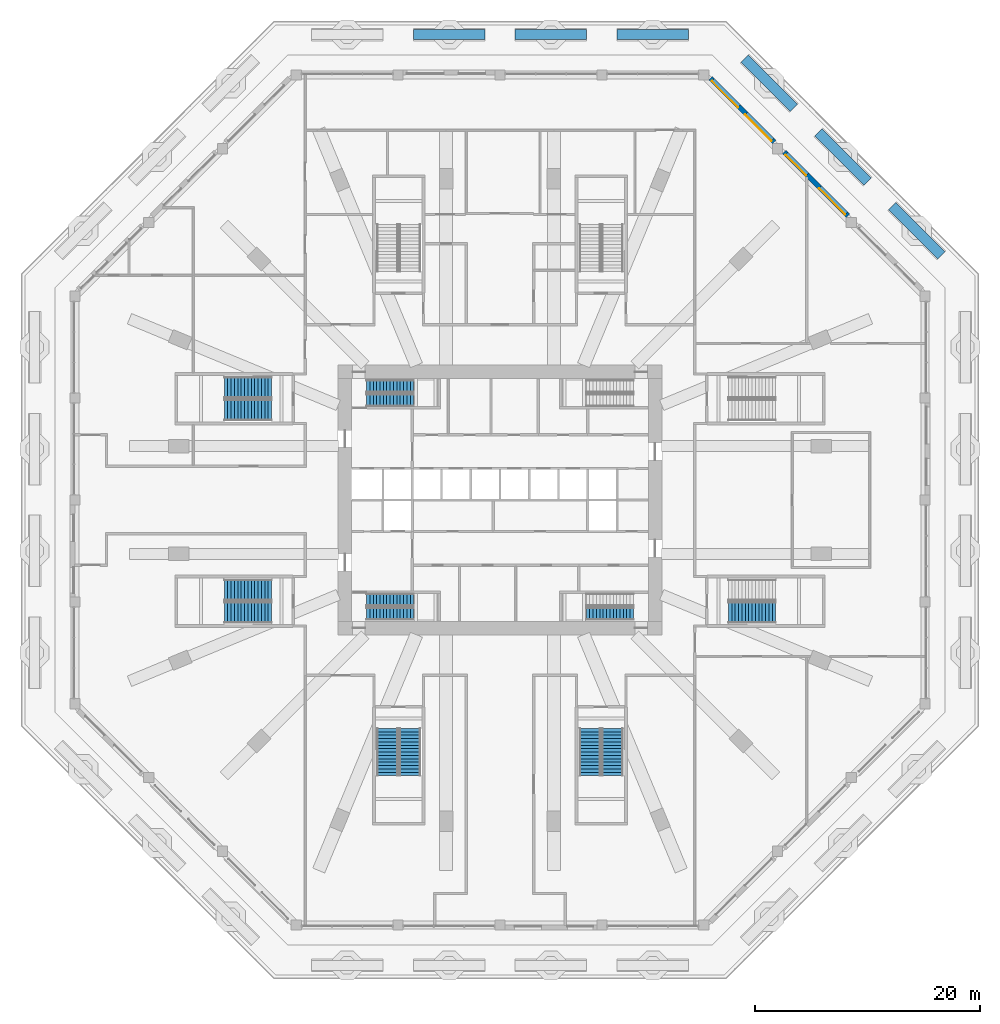
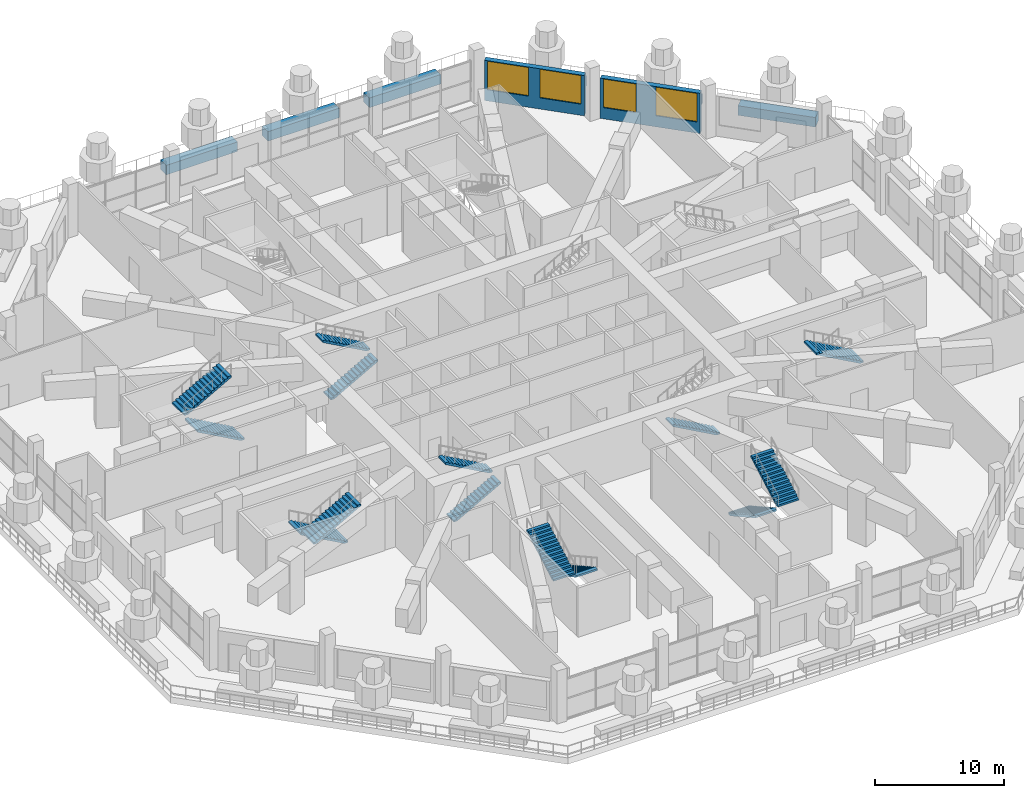
# One storey, part 21 of 25: 14 stair flights, 8 walls, 4 windows, 4 openings, 8 elements without a shape of their own.
"""IFC4 building model written with IfcOpenShell, lengths in metres."""

from ifc_helpers import new_model, si_unit, direction, frame, frame_2d, origin, place, context, subcontext, project, spatial, polyline, rectangle, outline, extrude, material, layer, layer_set, type_object, element, fill, aggregate, save


model = new_model("IFC4")

# Units and contexts
model_context = context("Model", 3, precision=1e-05, world=origin(), true_north=direction((0.0, 1.0)))
body_context = subcontext(model_context, "Body", "Model", "MODEL_VIEW")
ifc_project = project(units=[si_unit("LENGTHUNIT", "METRE"), si_unit("AREAUNIT", "SQUARE_METRE"), si_unit("VOLUMEUNIT", "CUBIC_METRE"), si_unit("PLANEANGLEUNIT", "RADIAN"), si_unit("MASSUNIT", "GRAM", prefix="KILO")], contexts=[model_context])

# Site, building, storey
site_placement = place(None, origin())
site = spatial("IfcSite", under=ifc_project, at=site_placement, CompositionType="ELEMENT")
building_placement = place(site_placement, origin())
building = spatial("IfcBuilding", under=site, at=building_placement, Name="Msitu Wima Residences", CompositionType="ELEMENT")
storey_placement = place(building_placement, frame((0.0, 0.0, 11.0)))
storey = spatial("IfcBuildingStorey", under=building, at=storey_placement, Name="L02", CompositionType="ELEMENT", Elevation=11.0)

# Wall, openings, windows
ifc_material_1 = material(Name="Brick (red buff mix), cavity wall of two leaves", Category="masonry")
ifc_layer_1 = layer(ifc_material_1, 0.449951171875)
ifc_layer_set_1 = layer_set([ifc_layer_1], Name="Brick (red buff mix), cavity wall of two leaves")
wall_type_1 = type_object("IfcWallType", Name="Brick infill wall BW450 podium", PredefinedType="ELEMENTEDWALL", material=ifc_layer_set_1)
wall_1_placement = place(storey_placement, frame((30.95166015625, 25.29443359375, 0.0), z_axis=(0.0, 0.0, 1.0), x_axis=(-0.707106781187, 0.707106781187, 0.0)))
wall_1 = element("IfcWall", 1, at=wall_1_placement, inside=storey, type_object=wall_type_1, Name="Brick infill wall L02 NE1", PredefinedType="ELEMENTEDWALL", context=body_context, shape_type="SweptSolid", body=[
    extrude(rectangle(XDim=8.00048828125, YDim=0.449951171875, at=frame_2d((4.000244140625, 0.0))), origin(), (0.0, 0.0, 1.0), 3.800048828125),
])
opening_1_placement = place(wall_1_placement, frame((0.250244140625, 0.0, 1.050048828125)))
opening_1 = element("IfcOpeningElement", 2, at=opening_1_placement, cuts=wall_1, Name="Opening W02.004", PredefinedType="OPENING", context=body_context, shape_type="SweptSolid", body=[
    extrude(rectangle(XDim=3.300048828125, YDim=2.699951171875, at=frame_2d((1.64990234375, 1.35009765625))), frame((0.0, 0.23486328125, 0.0), z_axis=(0.0, -1.0, 0.0), x_axis=(1.0, 0.0, 0.0)), (0.0, 0.0, 1.0), 0.469970703125),
])
opening_2_placement = place(wall_1_placement, frame((5.151123046875, 0.0, 1.050048828125)))
opening_2 = element("IfcOpeningElement", 3, at=opening_2_placement, cuts=wall_1, Name="Opening W02.005", PredefinedType="OPENING", context=body_context, shape_type="SweptSolid", body=[
    extrude(rectangle(XDim=2.60009765625, YDim=2.699951171875, at=frame_2d((1.300048828125, 1.35009765625))), frame((0.0, 0.23486328125, 0.0), z_axis=(0.0, -1.0, 0.0), x_axis=(1.0, 0.0, 0.0)), (0.0, 0.0, 1.0), 0.469970703125),
])
ifc_material_2 = material(Name="Anodised aluminium, bronze finish, clear low-emissivity double glazing", Category="aluminium")
window_type_1 = type_object("IfcWindowType", Name="Window W2600x2700", PartitioningType="DOUBLE_PANEL_VERTICAL", PredefinedType="WINDOW", material=ifc_material_2)
window_1_placement = place(opening_2_placement, origin())
window_1 = element("IfcWindow", 4, at=window_1_placement, inside=storey, type_object=window_type_1, Name="Window L02 NE1.2b", OverallHeight=2.699951171875, OverallWidth=2.60009765625, PartitioningType="SINGLE_PANEL", PredefinedType="WINDOW", context=body_context, shape_type="SweptSolid", body=[
    extrude(rectangle(XDim=2.60009765625, YDim=2.699951171875, at=frame_2d((1.300048828125, 1.35009765625))), frame((0.0, 0.135009765625, 0.0), z_axis=(0.0, -1.0, 0.0), x_axis=(1.0, 0.0, 0.0)), (0.0, 0.0, 1.0), 0.06005859375),
])
fill(opening_2, window_1)
window_type_2 = type_object("IfcWindowType", Name="Window W3300x2700", PartitioningType="DOUBLE_PANEL_VERTICAL", PredefinedType="WINDOW", material=ifc_material_2)
window_2_placement = place(opening_1_placement, origin())
window_2 = element("IfcWindow", 5, at=window_2_placement, inside=storey, type_object=window_type_2, Name="Window L02 NE1.1", OverallHeight=2.699951171875, OverallWidth=3.300048828125, PartitioningType="SINGLE_PANEL", PredefinedType="WINDOW", context=body_context, shape_type="SweptSolid", body=[
    extrude(rectangle(XDim=3.300048828125, YDim=2.699951171875, at=frame_2d((1.64990234375, 1.35009765625))), frame((0.0, 0.135009765625, 0.0), z_axis=(0.0, -1.0, 0.0), x_axis=(1.0, 0.0, 0.0)), (0.0, 0.0, 1.0), 0.06005859375),
])
fill(opening_1, window_2)

wall_2_placement = place(storey_placement, frame((24.394287109375, 31.851806640625, 0.0), z_axis=(0.0, 0.0, 1.0), x_axis=(-0.707106781187, 0.707106781187, 0.0)))
wall_2 = element("IfcWall", 6, at=wall_2_placement, inside=storey, type_object=wall_type_1, Name="Brick infill wall L02 NE2", PredefinedType="ELEMENTEDWALL", context=body_context, shape_type="SweptSolid", body=[
    extrude(rectangle(XDim=8.00048828125, YDim=0.449951171875, at=frame_2d((4.000244140625, 0.0))), origin(), (0.0, 0.0, 1.0), 3.800048828125),
])
opening_3_placement = place(wall_2_placement, frame((0.250244140625, 0.0, 1.050048828125)))
opening_3 = element("IfcOpeningElement", 7, at=opening_3_placement, cuts=wall_2, Name="Opening W02.006", PredefinedType="OPENING", context=body_context, shape_type="SweptSolid", body=[
    extrude(rectangle(XDim=3.300048828125, YDim=2.699951171875, at=frame_2d((1.64990234375, 1.35009765625))), frame((0.0, 0.23486328125, 0.0), z_axis=(0.0, -1.0, 0.0), x_axis=(1.0, 0.0, 0.0)), (0.0, 0.0, 1.0), 0.469970703125),
])
opening_4_placement = place(wall_2_placement, frame((4.450439453125, 0.0, 1.050048828125)))
opening_4 = element("IfcOpeningElement", 8, at=opening_4_placement, cuts=wall_2, Name="Opening W02.007", PredefinedType="OPENING", context=body_context, shape_type="SweptSolid", body=[
    extrude(rectangle(XDim=3.300048828125, YDim=2.699951171875, at=frame_2d((1.64990234375, 1.35009765625))), frame((0.0, 0.23486328125, 0.0), z_axis=(0.0, -1.0, 0.0), x_axis=(1.0, 0.0, 0.0)), (0.0, 0.0, 1.0), 0.469970703125),
])
window_3_placement = place(opening_3_placement, origin())
window_3 = element("IfcWindow", 9, at=window_3_placement, inside=storey, type_object=window_type_2, Name="Window L02 NE2.1", OverallHeight=2.699951171875, OverallWidth=3.300048828125, PartitioningType="SINGLE_PANEL", PredefinedType="WINDOW", context=body_context, shape_type="SweptSolid", body=[
    extrude(rectangle(XDim=3.300048828125, YDim=2.699951171875, at=frame_2d((1.64990234375, 1.35009765625))), frame((0.0, 0.135009765625, 0.0), z_axis=(0.0, -1.0, 0.0), x_axis=(1.0, 0.0, 0.0)), (0.0, 0.0, 1.0), 0.06005859375),
])
fill(opening_3, window_3)
window_4_placement = place(opening_4_placement, origin())
window_4 = element("IfcWindow", 10, at=window_4_placement, inside=storey, type_object=window_type_2, Name="Window L02 NE2.2", OverallHeight=2.699951171875, OverallWidth=3.300048828125, PartitioningType="SINGLE_PANEL", PredefinedType="WINDOW", context=body_context, shape_type="SweptSolid", body=[
    extrude(rectangle(XDim=3.300048828125, YDim=2.699951171875, at=frame_2d((1.64990234375, 1.35009765625))), frame((0.0, 0.135009765625, 0.0), z_axis=(0.0, -1.0, 0.0), x_axis=(1.0, 0.0, 0.0)), (0.0, 0.0, 1.0), 0.06005859375),
])
fill(opening_4, window_4)

# Walls
ifc_material_3 = material(Name="Facing brick")
ifc_layer_2 = layer(ifc_material_3, 0.06494140625, Name="Facing brick")
ifc_material_4 = material(Name="Concrete C40/50", Category="concrete")
ifc_layer_3 = layer(ifc_material_4, 0.381103515625, Name="Concrete C40/50")
ifc_material_5 = material(Name="Waterproofing membrane")
ifc_layer_4 = layer(ifc_material_5, 0.00390625, Name="Waterproofing membrane")
ifc_material_6 = material(Name="Planting soil and planting")
ifc_layer_5 = layer(ifc_material_6, 0.449951171875, Name="Planting soil and planting")
ifc_layer_set_2 = layer_set([ifc_layer_2, ifc_layer_3, ifc_layer_4, ifc_layer_5], Name="Concrete C40/50")
wall_type_2 = type_object("IfcWallType", Name="Terrace planter PLANTER PL900", PredefinedType="USERDEFINED", material=ifc_layer_set_2)
wall_3_placement = place(storey_placement, frame((39.25927734375, 21.760009765625, 0.0), z_axis=(0.0, 0.0, 1.0), x_axis=(-0.707126467061, 0.707087094764, 0.0)))
element("IfcWall", 11, at=wall_3_placement, inside=storey, type_object=wall_type_2, Name="Terrace planter L02 NE0", ObjectType="PLANTER", PredefinedType="USERDEFINED", context=body_context, shape_type="SweptSolid", body=[
    extrude(rectangle(XDim=6.200927734375, YDim=0.89990234375, at=frame_2d((3.1005859375, 0.0))), origin(), (0.0, 0.0, 1.0), 0.89990234375),
])
wall_4_placement = place(storey_placement, frame((32.701904296875, 28.3173828125, 0.0), z_axis=(0.0, 0.0, 1.0), x_axis=(-0.707106781187, 0.707106781187, 0.0)))
element("IfcWall", 12, at=wall_4_placement, inside=storey, type_object=wall_type_2, Name="Terrace planter L02 NE1", ObjectType="PLANTER", PredefinedType="USERDEFINED", context=body_context, shape_type="SweptSolid", body=[
    extrude(rectangle(XDim=6.20068359375, YDim=0.89990234375, at=frame_2d((3.100341796875, 0.0))), origin(), (0.0, 0.0, 1.0), 0.89990234375),
])
wall_5_placement = place(storey_placement, frame((26.14453125, 34.87451171875, 0.0), z_axis=(0.0, 0.0, 1.0), x_axis=(-0.707087094764, 0.707126467061, 0.0)))
element("IfcWall", 13, at=wall_5_placement, inside=storey, type_object=wall_type_2, Name="Terrace planter L02 NE2", ObjectType="PLANTER", PredefinedType="USERDEFINED", context=body_context, shape_type="SweptSolid", body=[
    extrude(rectangle(XDim=6.200927734375, YDim=0.89990234375, at=frame_2d((3.1005859375, 0.0))), origin(), (0.0, 0.0, 1.0), 0.89990234375),
])
for number, where, z_axis, x_axis, name in (
    (14, (16.77783203125, 41.39990234375, 0.0), (0.0, 0.0, 1.0), (-1.0, 0.0, 0.0), "Terrace planter L02 N0"),
    (15, (7.7138671875, 41.39990234375, 0.0), (0.0, 0.0, 1.0), (-1.0, 0.0, 0.0), "Terrace planter L02 N1"),
    (16, (-1.35009765625, 41.39990234375, 0.0), (0.0, 0.0, 1.0), (-1.0, 0.0, 0.0), "Terrace planter L02 N2"),
):
    element("IfcWall", number, at=place(storey_placement, frame(where, z_axis=z_axis, x_axis=x_axis)), inside=storey, type_object=wall_type_2, Name=name, ObjectType="PLANTER", PredefinedType="USERDEFINED", context=body_context, shape_type="SweptSolid", body=[
        extrude(rectangle(XDim=6.36376953125, YDim=0.89990234375, at=frame_2d((3.181884765625, 0.0))), origin(), (0.0, 0.0, 1.0), 0.89990234375),
    ])

# Stair, stair flights
stair_type_1 = type_object("IfcStairType", Name="Exit stair ES1667-110", PredefinedType="HALF_TURN_STAIR", material=ifc_material_4)
stair_1_placement = place(storey_placement, origin())
stair_1 = element("IfcStair", 17, at=stair_1_placement, inside=storey, type_object=stair_type_1, Name="Exit stair 1", PredefinedType="HALF_TURN_STAIR")
stair_flight_type_1 = type_object("IfcStairFlightType", Name="Exit stair flight ES1667-110", PredefinedType="STRAIGHT", material=ifc_material_4)
stair_flight_1_placement = place(storey_placement, frame((-11.875, 8.875, 0.0), z_axis=(0.0, 0.0, 1.0), x_axis=(1.0, 0.0, 0.0)))
stair_flight_1 = element("IfcStairFlight", 18, at=stair_flight_1_placement, type_object=stair_flight_type_1, Name="S1 flight 1", NumberOfRisers=15, NumberOfTreads=14, PredefinedType="STRAIGHT", RiserHeight=0.166666667, TreadLength=0.3, context=body_context, shape_type="SweptSolid", body=[
    extrude(outline(polyline([(0.0, 0.0), (0.0, 0.166748046875), (0.300048828125, 0.166748046875), (0.300048828125, 0.333251953125), (0.60009765625, 0.333251953125), (0.60009765625, 0.5), (0.89990234375, 0.5), (0.89990234375, 0.666748046875), (1.199951171875, 0.666748046875), (1.199951171875, 0.833251953125), (1.5, 0.833251953125), (1.5, 1.0), (1.800048828125, 1.0), (1.800048828125, 1.166748046875), (2.10009765625, 1.166748046875), (2.10009765625, 1.333251953125), (2.39990234375, 1.333251953125), (2.39990234375, 1.5), (2.699951171875, 1.5), (2.699951171875, 1.666748046875), (3.0, 1.666748046875), (3.0, 1.833251953125), (3.300048828125, 1.833251953125), (3.300048828125, 2.0), (3.60009765625, 2.0), (3.60009765625, 2.166748046875), (3.89990234375, 2.166748046875), (3.89990234375, 2.333251953125), (4.199951171875, 2.333251953125), (4.199951171875, 2.5), (4.199951171875, 2.161865234375), (0.30859375, 0.0), (0.0, 0.0)])), frame((0.0, 0.550048828125, 0.0), z_axis=(0.0, -1.0, 0.0), x_axis=(1.0, 0.0, 0.0)), (0.0, 0.0, 1.0), 1.10009765625),
])
stair_flight_2_placement = place(storey_placement, frame((-7.675048828125, 10.125, 2.5), z_axis=(0.0, 0.0, 1.0), x_axis=(-1.0, 0.0, 0.0)))
stair_flight_2 = element("IfcStairFlight", 19, at=stair_flight_2_placement, type_object=stair_flight_type_1, Name="S1 flight 2", NumberOfRisers=15, NumberOfTreads=14, PredefinedType="STRAIGHT", RiserHeight=0.166666667, TreadLength=0.3, context=body_context, shape_type="SweptSolid", body=[
    extrude(outline(polyline([(0.0, 0.0), (0.0, 0.166748046875), (0.300048828125, 0.166748046875), (0.300048828125, 0.333251953125), (0.60009765625, 0.333251953125), (0.60009765625, 0.5), (0.89990234375, 0.5), (0.89990234375, 0.666748046875), (1.199951171875, 0.666748046875), (1.199951171875, 0.833251953125), (1.5, 0.833251953125), (1.5, 1.0), (1.800048828125, 1.0), (1.800048828125, 1.166748046875), (2.10009765625, 1.166748046875), (2.10009765625, 1.333251953125), (2.39990234375, 1.333251953125), (2.39990234375, 1.5), (2.699951171875, 1.5), (2.699951171875, 1.666748046875), (3.0, 1.666748046875), (3.0, 1.833251953125), (3.300048828125, 1.833251953125), (3.300048828125, 2.0), (3.60009765625, 2.0), (3.60009765625, 2.166748046875), (3.89990234375, 2.166748046875), (3.89990234375, 2.333251953125), (4.199951171875, 2.333251953125), (4.199951171875, 2.5), (4.199951171875, 2.161865234375), (0.30859375, 0.0), (0.0, 0.0)])), frame((0.0, 0.550048828125, 0.0), z_axis=(0.0, -1.0, 0.0), x_axis=(1.0, 0.0, 0.0)), (0.0, 0.0, 1.0), 1.10009765625),
])
aggregate(stair_1, [stair_flight_1, stair_flight_2])

stair_2_placement = place(storey_placement, origin())
stair_2 = element("IfcStair", 20, at=stair_2_placement, inside=storey, type_object=stair_type_1, Name="Exit stair 2", PredefinedType="HALF_TURN_STAIR")
stair_flight_3_placement = place(storey_placement, frame((-11.875, -10.125, 0.0), z_axis=(0.0, 0.0, 1.0), x_axis=(1.0, 0.0, 0.0)))
stair_flight_3 = element("IfcStairFlight", 21, at=stair_flight_3_placement, type_object=stair_flight_type_1, Name="S2 flight 1", NumberOfRisers=15, NumberOfTreads=14, PredefinedType="STRAIGHT", RiserHeight=0.166666667, TreadLength=0.3, context=body_context, shape_type="SweptSolid", body=[
    extrude(outline(polyline([(0.0, 0.0), (0.0, 0.166748046875), (0.300048828125, 0.166748046875), (0.300048828125, 0.333251953125), (0.60009765625, 0.333251953125), (0.60009765625, 0.5), (0.89990234375, 0.5), (0.89990234375, 0.666748046875), (1.199951171875, 0.666748046875), (1.199951171875, 0.833251953125), (1.5, 0.833251953125), (1.5, 1.0), (1.800048828125, 1.0), (1.800048828125, 1.166748046875), (2.10009765625, 1.166748046875), (2.10009765625, 1.333251953125), (2.39990234375, 1.333251953125), (2.39990234375, 1.5), (2.699951171875, 1.5), (2.699951171875, 1.666748046875), (3.0, 1.666748046875), (3.0, 1.833251953125), (3.300048828125, 1.833251953125), (3.300048828125, 2.0), (3.60009765625, 2.0), (3.60009765625, 2.166748046875), (3.89990234375, 2.166748046875), (3.89990234375, 2.333251953125), (4.199951171875, 2.333251953125), (4.199951171875, 2.5), (4.199951171875, 2.161865234375), (0.30859375, 0.0), (0.0, 0.0)])), frame((0.0, 0.550048828125, 0.0), z_axis=(0.0, -1.0, 0.0), x_axis=(1.0, 0.0, 0.0)), (0.0, 0.0, 1.0), 1.10009765625),
])
stair_flight_4_placement = place(storey_placement, frame((-7.675048828125, -8.875, 2.5), z_axis=(0.0, 0.0, 1.0), x_axis=(-1.0, 0.0, 0.0)))
stair_flight_4 = element("IfcStairFlight", 22, at=stair_flight_4_placement, type_object=stair_flight_type_1, Name="S2 flight 2", NumberOfRisers=15, NumberOfTreads=14, PredefinedType="STRAIGHT", RiserHeight=0.166666667, TreadLength=0.3, context=body_context, shape_type="SweptSolid", body=[
    extrude(outline(polyline([(0.0, 0.0), (0.0, 0.166748046875), (0.300048828125, 0.166748046875), (0.300048828125, 0.333251953125), (0.60009765625, 0.333251953125), (0.60009765625, 0.5), (0.89990234375, 0.5), (0.89990234375, 0.666748046875), (1.199951171875, 0.666748046875), (1.199951171875, 0.833251953125), (1.5, 0.833251953125), (1.5, 1.0), (1.800048828125, 1.0), (1.800048828125, 1.166748046875), (2.10009765625, 1.166748046875), (2.10009765625, 1.333251953125), (2.39990234375, 1.333251953125), (2.39990234375, 1.5), (2.699951171875, 1.5), (2.699951171875, 1.666748046875), (3.0, 1.666748046875), (3.0, 1.833251953125), (3.300048828125, 1.833251953125), (3.300048828125, 2.0), (3.60009765625, 2.0), (3.60009765625, 2.166748046875), (3.89990234375, 2.166748046875), (3.89990234375, 2.333251953125), (4.199951171875, 2.333251953125), (4.199951171875, 2.5), (4.199951171875, 2.161865234375), (0.30859375, 0.0), (0.0, 0.0)])), frame((0.0, 0.550048828125, 0.0), z_axis=(0.0, -1.0, 0.0), x_axis=(1.0, 0.0, 0.0)), (0.0, 0.0, 1.0), 1.10009765625),
])
aggregate(stair_2, [stair_flight_3, stair_flight_4])

# Stair, stair flight
stair_3_placement = place(storey_placement, origin())
stair_3 = element("IfcStair", 23, at=stair_3_placement, inside=storey, type_object=stair_type_1, Name="Exit stair 4", PredefinedType="HALF_TURN_STAIR")
stair_flight_5_placement = place(storey_placement, frame((11.875, -10.125, 0.0), z_axis=(0.0, 0.0, 1.0), x_axis=(-1.0, 0.0, 0.0)))
stair_flight_5 = element("IfcStairFlight", 24, at=stair_flight_5_placement, type_object=stair_flight_type_1, Name="S4 flight 1", NumberOfRisers=15, NumberOfTreads=14, PredefinedType="STRAIGHT", RiserHeight=0.166666667, TreadLength=0.3, context=body_context, shape_type="SweptSolid", body=[
    extrude(outline(polyline([(0.0, 0.0), (0.0, 0.166748046875), (0.300048828125, 0.166748046875), (0.300048828125, 0.333251953125), (0.60009765625, 0.333251953125), (0.60009765625, 0.5), (0.89990234375, 0.5), (0.89990234375, 0.666748046875), (1.199951171875, 0.666748046875), (1.199951171875, 0.833251953125), (1.5, 0.833251953125), (1.5, 1.0), (1.800048828125, 1.0), (1.800048828125, 1.166748046875), (2.10009765625, 1.166748046875), (2.10009765625, 1.333251953125), (2.39990234375, 1.333251953125), (2.39990234375, 1.5), (2.699951171875, 1.5), (2.699951171875, 1.666748046875), (3.0, 1.666748046875), (3.0, 1.833251953125), (3.300048828125, 1.833251953125), (3.300048828125, 2.0), (3.60009765625, 2.0), (3.60009765625, 2.166748046875), (3.89990234375, 2.166748046875), (3.89990234375, 2.333251953125), (4.199951171875, 2.333251953125), (4.199951171875, 2.5), (4.199951171875, 2.161865234375), (0.30859375, 0.0), (0.0, 0.0)])), frame((0.0, 0.550048828125, 0.0), z_axis=(0.0, -1.0, 0.0), x_axis=(1.0, 0.0, 0.0)), (0.0, 0.0, 1.0), 1.10009765625),
])
aggregate(stair_3, [stair_flight_5])

stair_type_2 = type_object("IfcStairType", Name="Podium exit stair PX1667-190", PredefinedType="HALF_TURN_STAIR", material=ifc_material_4)
stair_4_placement = place(storey_placement, origin())
stair_4 = element("IfcStair", 25, at=stair_4_placement, inside=storey, type_object=stair_type_2, Name="Podium exit stair 2", PredefinedType="HALF_TURN_STAIR")
stair_flight_type_2 = type_object("IfcStairFlightType", Name="Podium exit stair flight PX1667-190", PredefinedType="STRAIGHT", material=ifc_material_4)
stair_flight_6_placement = place(storey_placement, frame((24.52490234375, -10.0, 2.5), z_axis=(0.0, 0.0, 1.0), x_axis=(-1.0, 0.0, 0.0)))
stair_flight_6 = element("IfcStairFlight", 26, at=stair_flight_6_placement, type_object=stair_flight_type_2, Name="PS2 flight 2", NumberOfRisers=15, NumberOfTreads=14, PredefinedType="STRAIGHT", RiserHeight=0.166666667, TreadLength=0.3, context=body_context, shape_type="SweptSolid", body=[
    extrude(outline(polyline([(0.0, 0.0), (0.0, 0.166748046875), (0.300048828125, 0.166748046875), (0.300048828125, 0.333251953125), (0.60009765625, 0.333251953125), (0.60009765625, 0.5), (0.89990234375, 0.5), (0.89990234375, 0.666748046875), (1.199951171875, 0.666748046875), (1.199951171875, 0.833251953125), (1.5, 0.833251953125), (1.5, 1.0), (1.800048828125, 1.0), (1.800048828125, 1.166748046875), (2.10009765625, 1.166748046875), (2.10009765625, 1.333251953125), (2.39990234375, 1.333251953125), (2.39990234375, 1.5), (2.699951171875, 1.5), (2.699951171875, 1.666748046875), (3.0, 1.666748046875), (3.0, 1.833251953125), (3.300048828125, 1.833251953125), (3.300048828125, 2.0), (3.60009765625, 2.0), (3.60009765625, 2.166748046875), (3.89990234375, 2.166748046875), (3.89990234375, 2.333251953125), (4.199951171875, 2.333251953125), (4.199951171875, 2.5), (4.199951171875, 2.161865234375), (0.30859375, 0.0), (0.0, 0.0)])), frame((0.0, 0.949951171875, 0.0), z_axis=(0.0, -1.0, 0.0), x_axis=(1.0, 0.0, 0.0)), (0.0, 0.0, 1.0), 1.89990234375),
])
aggregate(stair_4, [stair_flight_6])

# Stair, stair flights
stair_5_placement = place(storey_placement, origin())
stair_5 = element("IfcStair", 27, at=stair_5_placement, inside=storey, type_object=stair_type_2, Name="Podium exit stair 5", PredefinedType="HALF_TURN_STAIR")
stair_flight_7_placement = place(storey_placement, frame((-20.324951171875, -8.0, 0.0), z_axis=(0.0, 0.0, 1.0), x_axis=(-1.0, 0.0, 0.0)))
stair_flight_7 = element("IfcStairFlight", 28, at=stair_flight_7_placement, type_object=stair_flight_type_2, Name="PS5 flight 1", NumberOfRisers=15, NumberOfTreads=14, PredefinedType="STRAIGHT", RiserHeight=0.166666667, TreadLength=0.3, context=body_context, shape_type="SweptSolid", body=[
    extrude(outline(polyline([(0.0, 0.0), (0.0, 0.166748046875), (0.300048828125, 0.166748046875), (0.300048828125, 0.333251953125), (0.60009765625, 0.333251953125), (0.60009765625, 0.5), (0.89990234375, 0.5), (0.89990234375, 0.666748046875), (1.199951171875, 0.666748046875), (1.199951171875, 0.833251953125), (1.5, 0.833251953125), (1.5, 1.0), (1.800048828125, 1.0), (1.800048828125, 1.166748046875), (2.10009765625, 1.166748046875), (2.10009765625, 1.333251953125), (2.39990234375, 1.333251953125), (2.39990234375, 1.5), (2.699951171875, 1.5), (2.699951171875, 1.666748046875), (3.0, 1.666748046875), (3.0, 1.833251953125), (3.300048828125, 1.833251953125), (3.300048828125, 2.0), (3.60009765625, 2.0), (3.60009765625, 2.166748046875), (3.89990234375, 2.166748046875), (3.89990234375, 2.333251953125), (4.199951171875, 2.333251953125), (4.199951171875, 2.5), (4.199951171875, 2.161865234375), (0.30859375, 0.0), (0.0, 0.0)])), frame((0.0, 0.949951171875, 0.0), z_axis=(0.0, -1.0, 0.0), x_axis=(1.0, 0.0, 0.0)), (0.0, 0.0, 1.0), 1.89990234375),
])
stair_flight_8_placement = place(storey_placement, frame((-24.52490234375, -10.0, 2.5), z_axis=(0.0, 0.0, 1.0), x_axis=(1.0, 0.0, 0.0)))
stair_flight_8 = element("IfcStairFlight", 29, at=stair_flight_8_placement, type_object=stair_flight_type_2, Name="PS5 flight 2", NumberOfRisers=15, NumberOfTreads=14, PredefinedType="STRAIGHT", RiserHeight=0.166666667, TreadLength=0.3, context=body_context, shape_type="SweptSolid", body=[
    extrude(outline(polyline([(0.0, 0.0), (0.0, 0.166748046875), (0.300048828125, 0.166748046875), (0.300048828125, 0.333251953125), (0.60009765625, 0.333251953125), (0.60009765625, 0.5), (0.89990234375, 0.5), (0.89990234375, 0.666748046875), (1.199951171875, 0.666748046875), (1.199951171875, 0.833251953125), (1.5, 0.833251953125), (1.5, 1.0), (1.800048828125, 1.0), (1.800048828125, 1.166748046875), (2.10009765625, 1.166748046875), (2.10009765625, 1.333251953125), (2.39990234375, 1.333251953125), (2.39990234375, 1.5), (2.699951171875, 1.5), (2.699951171875, 1.666748046875), (3.0, 1.666748046875), (3.0, 1.833251953125), (3.300048828125, 1.833251953125), (3.300048828125, 2.0), (3.60009765625, 2.0), (3.60009765625, 2.166748046875), (3.89990234375, 2.166748046875), (3.89990234375, 2.333251953125), (4.199951171875, 2.333251953125), (4.199951171875, 2.5), (4.199951171875, 2.161865234375), (0.30859375, 0.0), (0.0, 0.0)])), frame((0.0, 0.949951171875, 0.0), z_axis=(0.0, -1.0, 0.0), x_axis=(1.0, 0.0, 0.0)), (0.0, 0.0, 1.0), 1.89990234375),
])
aggregate(stair_5, [stair_flight_7, stair_flight_8])

stair_6_placement = place(storey_placement, origin())
stair_6 = element("IfcStair", 30, at=stair_6_placement, inside=storey, type_object=stair_type_2, Name="Podium exit stair 6", PredefinedType="HALF_TURN_STAIR")
stair_flight_9_placement = place(storey_placement, frame((-20.324951171875, 8.0, 0.0), z_axis=(0.0, 0.0, 1.0), x_axis=(-1.0, 0.0, 0.0)))
stair_flight_9 = element("IfcStairFlight", 31, at=stair_flight_9_placement, type_object=stair_flight_type_2, Name="PS6 flight 1", NumberOfRisers=15, NumberOfTreads=14, PredefinedType="STRAIGHT", RiserHeight=0.166666667, TreadLength=0.3, context=body_context, shape_type="SweptSolid", body=[
    extrude(outline(polyline([(0.0, 0.0), (0.0, 0.166748046875), (0.300048828125, 0.166748046875), (0.300048828125, 0.333251953125), (0.60009765625, 0.333251953125), (0.60009765625, 0.5), (0.89990234375, 0.5), (0.89990234375, 0.666748046875), (1.199951171875, 0.666748046875), (1.199951171875, 0.833251953125), (1.5, 0.833251953125), (1.5, 1.0), (1.800048828125, 1.0), (1.800048828125, 1.166748046875), (2.10009765625, 1.166748046875), (2.10009765625, 1.333251953125), (2.39990234375, 1.333251953125), (2.39990234375, 1.5), (2.699951171875, 1.5), (2.699951171875, 1.666748046875), (3.0, 1.666748046875), (3.0, 1.833251953125), (3.300048828125, 1.833251953125), (3.300048828125, 2.0), (3.60009765625, 2.0), (3.60009765625, 2.166748046875), (3.89990234375, 2.166748046875), (3.89990234375, 2.333251953125), (4.199951171875, 2.333251953125), (4.199951171875, 2.5), (4.199951171875, 2.161865234375), (0.30859375, 0.0), (0.0, 0.0)])), frame((0.0, 0.949951171875, 0.0), z_axis=(0.0, -1.0, 0.0), x_axis=(1.0, 0.0, 0.0)), (0.0, 0.0, 1.0), 1.89990234375),
])
stair_flight_10_placement = place(storey_placement, frame((-24.52490234375, 10.0, 2.5), z_axis=(0.0, 0.0, 1.0), x_axis=(1.0, 0.0, 0.0)))
stair_flight_10 = element("IfcStairFlight", 32, at=stair_flight_10_placement, type_object=stair_flight_type_2, Name="PS6 flight 2", NumberOfRisers=15, NumberOfTreads=14, PredefinedType="STRAIGHT", RiserHeight=0.166666667, TreadLength=0.3, context=body_context, shape_type="SweptSolid", body=[
    extrude(outline(polyline([(0.0, 0.0), (0.0, 0.166748046875), (0.300048828125, 0.166748046875), (0.300048828125, 0.333251953125), (0.60009765625, 0.333251953125), (0.60009765625, 0.5), (0.89990234375, 0.5), (0.89990234375, 0.666748046875), (1.199951171875, 0.666748046875), (1.199951171875, 0.833251953125), (1.5, 0.833251953125), (1.5, 1.0), (1.800048828125, 1.0), (1.800048828125, 1.166748046875), (2.10009765625, 1.166748046875), (2.10009765625, 1.333251953125), (2.39990234375, 1.333251953125), (2.39990234375, 1.5), (2.699951171875, 1.5), (2.699951171875, 1.666748046875), (3.0, 1.666748046875), (3.0, 1.833251953125), (3.300048828125, 1.833251953125), (3.300048828125, 2.0), (3.60009765625, 2.0), (3.60009765625, 2.166748046875), (3.89990234375, 2.166748046875), (3.89990234375, 2.333251953125), (4.199951171875, 2.333251953125), (4.199951171875, 2.5), (4.199951171875, 2.161865234375), (0.30859375, 0.0), (0.0, 0.0)])), frame((0.0, 0.949951171875, 0.0), z_axis=(0.0, -1.0, 0.0), x_axis=(1.0, 0.0, 0.0)), (0.0, 0.0, 1.0), 1.89990234375),
])
aggregate(stair_6, [stair_flight_9, stair_flight_10])

stair_7_placement = place(storey_placement, origin())
stair_7 = element("IfcStair", 33, at=stair_7_placement, inside=storey, type_object=stair_type_2, Name="Podium exit stair 7", PredefinedType="HALF_TURN_STAIR")
stair_flight_11_placement = place(storey_placement, frame((8.0, -20.324951171875, 0.0), z_axis=(0.0, 0.0, 1.0), x_axis=(0.0, -1.0, 0.0)))
stair_flight_11 = element("IfcStairFlight", 34, at=stair_flight_11_placement, type_object=stair_flight_type_2, Name="PS7 flight 1", NumberOfRisers=15, NumberOfTreads=14, PredefinedType="STRAIGHT", RiserHeight=0.166666667, TreadLength=0.3, context=body_context, shape_type="SweptSolid", body=[
    extrude(outline(polyline([(0.0, 0.0), (0.0, 0.166748046875), (0.300048828125, 0.166748046875), (0.300048828125, 0.333251953125), (0.60009765625, 0.333251953125), (0.60009765625, 0.5), (0.89990234375, 0.5), (0.89990234375, 0.666748046875), (1.199951171875, 0.666748046875), (1.199951171875, 0.833251953125), (1.5, 0.833251953125), (1.5, 1.0), (1.800048828125, 1.0), (1.800048828125, 1.166748046875), (2.10009765625, 1.166748046875), (2.10009765625, 1.333251953125), (2.39990234375, 1.333251953125), (2.39990234375, 1.5), (2.699951171875, 1.5), (2.699951171875, 1.666748046875), (3.0, 1.666748046875), (3.0, 1.833251953125), (3.300048828125, 1.833251953125), (3.300048828125, 2.0), (3.60009765625, 2.0), (3.60009765625, 2.166748046875), (3.89990234375, 2.166748046875), (3.89990234375, 2.333251953125), (4.199951171875, 2.333251953125), (4.199951171875, 2.5), (4.199951171875, 2.161865234375), (0.30859375, 0.0), (0.0, 0.0)])), frame((0.0, 0.949951171875, 0.0), z_axis=(0.0, -1.0, 0.0), x_axis=(1.0, 0.0, 0.0)), (0.0, 0.0, 1.0), 1.89990234375),
])
stair_flight_12_placement = place(storey_placement, frame((10.0, -24.52490234375, 2.5), z_axis=(0.0, 0.0, 1.0), x_axis=(0.0, 1.0, 0.0)))
stair_flight_12 = element("IfcStairFlight", 35, at=stair_flight_12_placement, type_object=stair_flight_type_2, Name="PS7 flight 2", NumberOfRisers=15, NumberOfTreads=14, PredefinedType="STRAIGHT", RiserHeight=0.166666667, TreadLength=0.3, context=body_context, shape_type="SweptSolid", body=[
    extrude(outline(polyline([(0.0, 0.0), (0.0, 0.166748046875), (0.300048828125, 0.166748046875), (0.300048828125, 0.333251953125), (0.60009765625, 0.333251953125), (0.60009765625, 0.5), (0.89990234375, 0.5), (0.89990234375, 0.666748046875), (1.199951171875, 0.666748046875), (1.199951171875, 0.833251953125), (1.5, 0.833251953125), (1.5, 1.0), (1.800048828125, 1.0), (1.800048828125, 1.166748046875), (2.10009765625, 1.166748046875), (2.10009765625, 1.333251953125), (2.39990234375, 1.333251953125), (2.39990234375, 1.5), (2.699951171875, 1.5), (2.699951171875, 1.666748046875), (3.0, 1.666748046875), (3.0, 1.833251953125), (3.300048828125, 1.833251953125), (3.300048828125, 2.0), (3.60009765625, 2.0), (3.60009765625, 2.166748046875), (3.89990234375, 2.166748046875), (3.89990234375, 2.333251953125), (4.199951171875, 2.333251953125), (4.199951171875, 2.5), (4.199951171875, 2.161865234375), (0.30859375, 0.0), (0.0, 0.0)])), frame((0.0, 0.949951171875, 0.0), z_axis=(0.0, -1.0, 0.0), x_axis=(1.0, 0.0, 0.0)), (0.0, 0.0, 1.0), 1.89990234375),
])
aggregate(stair_7, [stair_flight_11, stair_flight_12])

stair_8_placement = place(storey_placement, origin())
stair_8 = element("IfcStair", 36, at=stair_8_placement, inside=storey, type_object=stair_type_2, Name="Podium exit stair 8", PredefinedType="HALF_TURN_STAIR")
stair_flight_13_placement = place(storey_placement, frame((-8.0, -20.324951171875, 0.0), z_axis=(0.0, 0.0, 1.0), x_axis=(0.0, -1.0, 0.0)))
stair_flight_13 = element("IfcStairFlight", 37, at=stair_flight_13_placement, type_object=stair_flight_type_2, Name="PS8 flight 1", NumberOfRisers=15, NumberOfTreads=14, PredefinedType="STRAIGHT", RiserHeight=0.166666667, TreadLength=0.3, context=body_context, shape_type="SweptSolid", body=[
    extrude(outline(polyline([(0.0, 0.0), (0.0, 0.166748046875), (0.300048828125, 0.166748046875), (0.300048828125, 0.333251953125), (0.60009765625, 0.333251953125), (0.60009765625, 0.5), (0.89990234375, 0.5), (0.89990234375, 0.666748046875), (1.199951171875, 0.666748046875), (1.199951171875, 0.833251953125), (1.5, 0.833251953125), (1.5, 1.0), (1.800048828125, 1.0), (1.800048828125, 1.166748046875), (2.10009765625, 1.166748046875), (2.10009765625, 1.333251953125), (2.39990234375, 1.333251953125), (2.39990234375, 1.5), (2.699951171875, 1.5), (2.699951171875, 1.666748046875), (3.0, 1.666748046875), (3.0, 1.833251953125), (3.300048828125, 1.833251953125), (3.300048828125, 2.0), (3.60009765625, 2.0), (3.60009765625, 2.166748046875), (3.89990234375, 2.166748046875), (3.89990234375, 2.333251953125), (4.199951171875, 2.333251953125), (4.199951171875, 2.5), (4.199951171875, 2.161865234375), (0.30859375, 0.0), (0.0, 0.0)])), frame((0.0, 0.949951171875, 0.0), z_axis=(0.0, -1.0, 0.0), x_axis=(1.0, 0.0, 0.0)), (0.0, 0.0, 1.0), 1.89990234375),
])
stair_flight_14_placement = place(storey_placement, frame((-10.0, -24.52490234375, 2.5), z_axis=(0.0, 0.0, 1.0), x_axis=(0.0, 1.0, 0.0)))
stair_flight_14 = element("IfcStairFlight", 38, at=stair_flight_14_placement, type_object=stair_flight_type_2, Name="PS8 flight 2", NumberOfRisers=15, NumberOfTreads=14, PredefinedType="STRAIGHT", RiserHeight=0.166666667, TreadLength=0.3, context=body_context, shape_type="SweptSolid", body=[
    extrude(outline(polyline([(0.0, 0.0), (0.0, 0.166748046875), (0.300048828125, 0.166748046875), (0.300048828125, 0.333251953125), (0.60009765625, 0.333251953125), (0.60009765625, 0.5), (0.89990234375, 0.5), (0.89990234375, 0.666748046875), (1.199951171875, 0.666748046875), (1.199951171875, 0.833251953125), (1.5, 0.833251953125), (1.5, 1.0), (1.800048828125, 1.0), (1.800048828125, 1.166748046875), (2.10009765625, 1.166748046875), (2.10009765625, 1.333251953125), (2.39990234375, 1.333251953125), (2.39990234375, 1.5), (2.699951171875, 1.5), (2.699951171875, 1.666748046875), (3.0, 1.666748046875), (3.0, 1.833251953125), (3.300048828125, 1.833251953125), (3.300048828125, 2.0), (3.60009765625, 2.0), (3.60009765625, 2.166748046875), (3.89990234375, 2.166748046875), (3.89990234375, 2.333251953125), (4.199951171875, 2.333251953125), (4.199951171875, 2.5), (4.199951171875, 2.161865234375), (0.30859375, 0.0), (0.0, 0.0)])), frame((0.0, 0.949951171875, 0.0), z_axis=(0.0, -1.0, 0.0), x_axis=(1.0, 0.0, 0.0)), (0.0, 0.0, 1.0), 1.89990234375),
])
aggregate(stair_8, [stair_flight_13, stair_flight_14])

save(model, "model.ifc")
